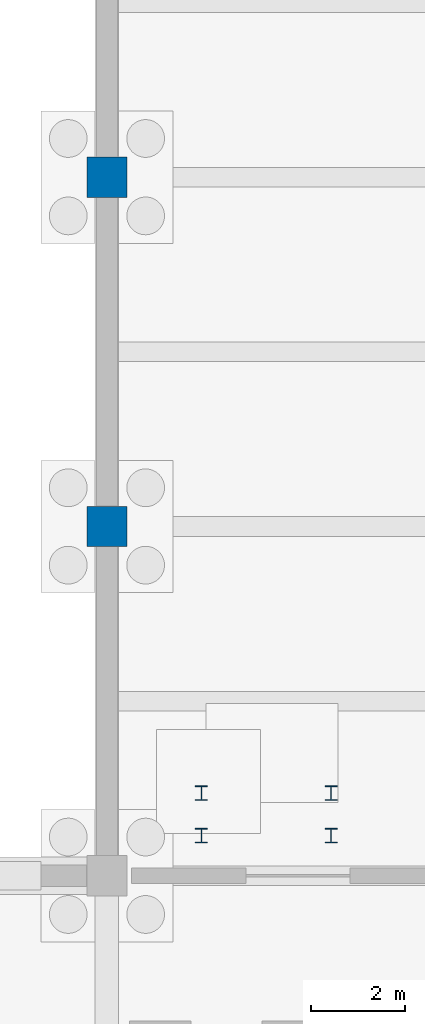
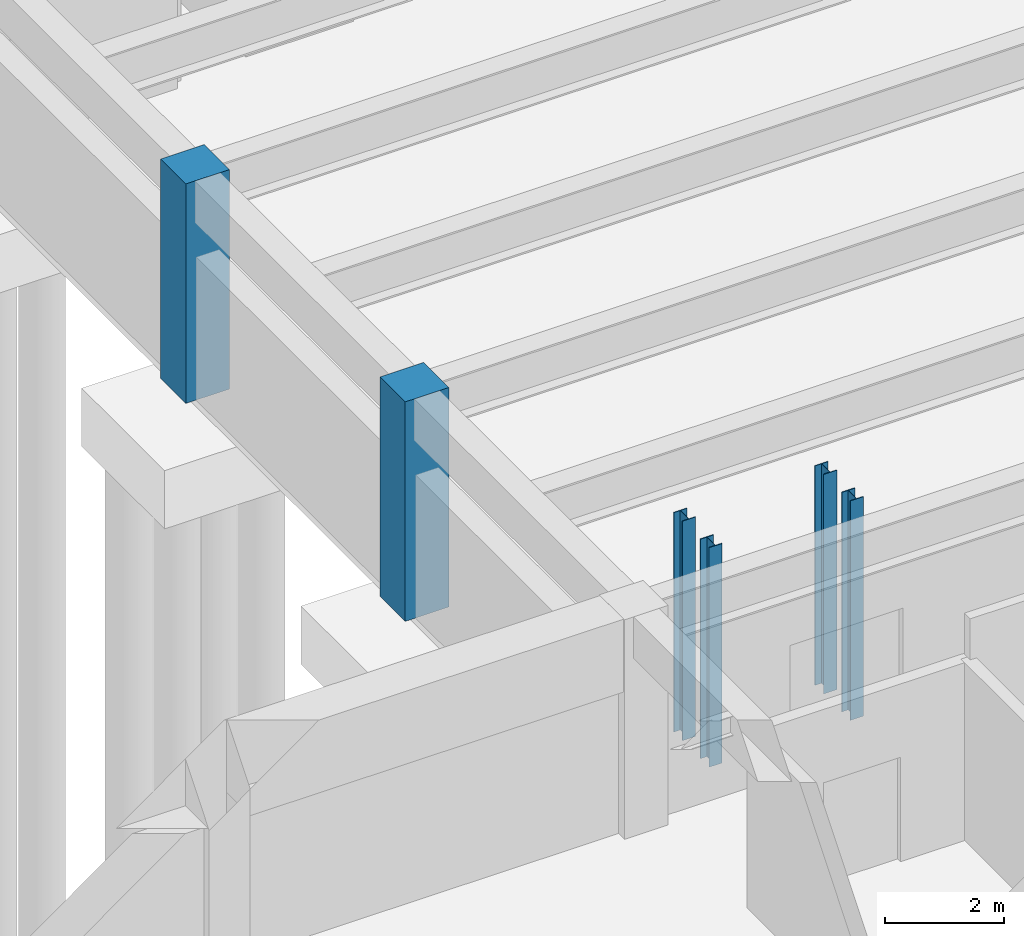
# One storey, part 3 of 14: 6 columns.
"""IFC4 building model written with IfcOpenShell, lengths in metres."""

from ifc_helpers import new_model, si_unit, direction, frame, origin, origin_2d, place, context, subcontext, project, spatial, rectangle, i_section, extrude, material, material_profile, profile_set, type_object, element, save


model = new_model("IFC4")

# Units and contexts
model_context = context("Model", 3, precision=1e-05, world=origin(), true_north=direction((0.0, 1.0)))
body_context = subcontext(model_context, "Body", "Model", "MODEL_VIEW")
ifc_project = project(units=[si_unit("LENGTHUNIT", "METRE"), si_unit("AREAUNIT", "SQUARE_METRE"), si_unit("VOLUMEUNIT", "CUBIC_METRE"), si_unit("PLANEANGLEUNIT", "RADIAN"), si_unit("MASSUNIT", "GRAM", prefix="KILO")], contexts=[model_context])

# Site, building, storey
site_placement = place(None, origin())
site = spatial("IfcSite", under=ifc_project, at=site_placement, CompositionType="ELEMENT")
building_placement = place(site_placement, origin())
building = spatial("IfcBuilding", under=site, at=building_placement, Name="Cimatlan Art Gallery", CompositionType="ELEMENT")
storey_placement = place(building_placement, frame((0.0, 0.0, -4.800048828125)))
storey = spatial("IfcBuildingStorey", under=building, at=storey_placement, Name="B1", CompositionType="ELEMENT", Elevation=-4.800048828125)

# Columns
ifc_material_1 = material(Name="Concrete C45/55", Category="concrete")
ifc_material_profile_1 = material_profile(ifc_material_1, rectangle(XDim=0.85009765625, YDim=0.85009765625, at=origin_2d()), Name="RC850X850")
ifc_profile_set_1 = profile_set([ifc_material_profile_1], Name="Concrete C45/55")
column_type_1 = type_object("IfcColumnType", Name="COL-RC-850", PredefinedType="COLUMN", material=ifc_profile_set_1)
for number, where, z_axis, x_axis, name in (
    (1, (74.89990234375, 46.10009765625, 0.0), (0.0, 0.0, 1.0), (1.0, 0.0, 0.0), "COL-B1-09-06"),
    (2, (74.89990234375, 53.5, 0.0), (0.0, 0.0, 1.0), (1.0, 0.0, 0.0), "COL-B1-09-07"),
):
    element("IfcColumn", number, at=place(storey_placement, frame(where, z_axis=z_axis, x_axis=x_axis)), inside=storey, type_object=column_type_1, Name=name, PredefinedType="COLUMN", context=body_context, shape_type="SweptSolid", body=[
        extrude(rectangle(XDim=0.85009765625, YDim=0.85009765625, at=origin_2d()), origin(), (0.0, 0.0, 1.0), 4.52001953125),
    ])
ifc_material_2 = material(Name="Steel ASTM A992 Grade 50", Category="steel")
ifc_material_profile_2 = material_profile(ifc_material_2, i_section(OverallWidth=0.25390625, OverallDepth=0.305908203125, WebThickness=0.0087890625, FlangeThickness=0.0146484375, at=origin_2d()), Name="W12X53")
ifc_profile_set_2 = profile_set([ifc_material_profile_2], Name="Steel ASTM A992 Grade 50")
column_type_2 = type_object("IfcColumnType", Name="COL-STL-W12X53", PredefinedType="COLUMN", material=ifc_profile_set_2)
for number, where, z_axis, x_axis, name in (
    (3, (76.89990234375, 39.550048828125, 0.0), (0.0, 0.0, 1.0), (1.0, 0.0, 0.0), "COL-FS95-B1-1"),
    (4, (79.64990234375, 39.550048828125, 0.0), (0.0, 0.0, 1.0), (1.0, 0.0, 0.0), "COL-FS95-B1-2"),
    (5, (76.89990234375, 40.449951171875, 0.0), (0.0, 0.0, 1.0), (1.0, 0.0, 0.0), "COL-FS95-B1-3"),
    (6, (79.64990234375, 40.449951171875, 0.0), (0.0, 0.0, 1.0), (1.0, 0.0, 0.0), "COL-FS95-B1-4"),
):
    element("IfcColumn", number, at=place(storey_placement, frame(where, z_axis=z_axis, x_axis=x_axis)), inside=storey, type_object=column_type_2, Name=name, PredefinedType="COLUMN", context=body_context, shape_type="SweptSolid", body=[
        extrude(i_section(OverallWidth=0.25390625, OverallDepth=0.305908203125, WebThickness=0.0087890625, FlangeThickness=0.0146484375, at=origin_2d()), origin(), (0.0, 0.0, 1.0), 4.52001953125),
    ])

save(model, "model.ifc")
